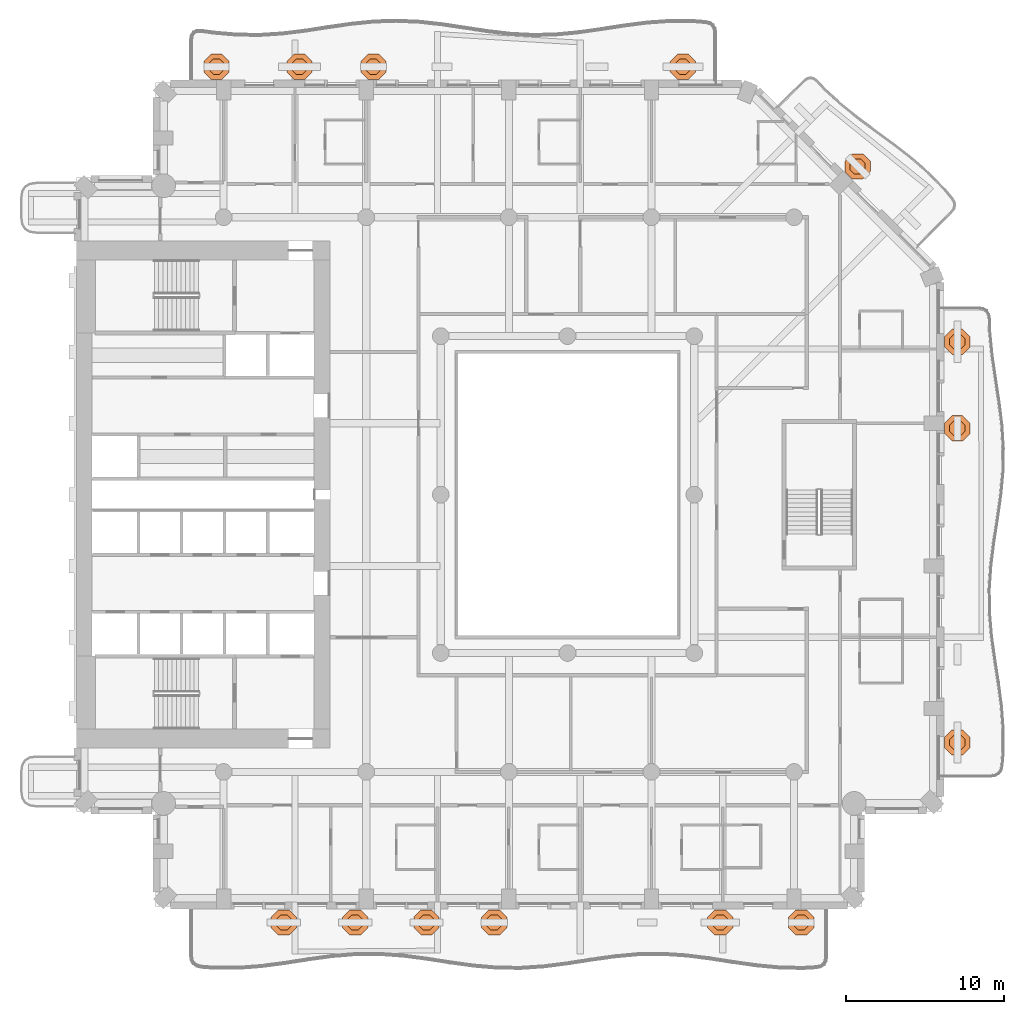
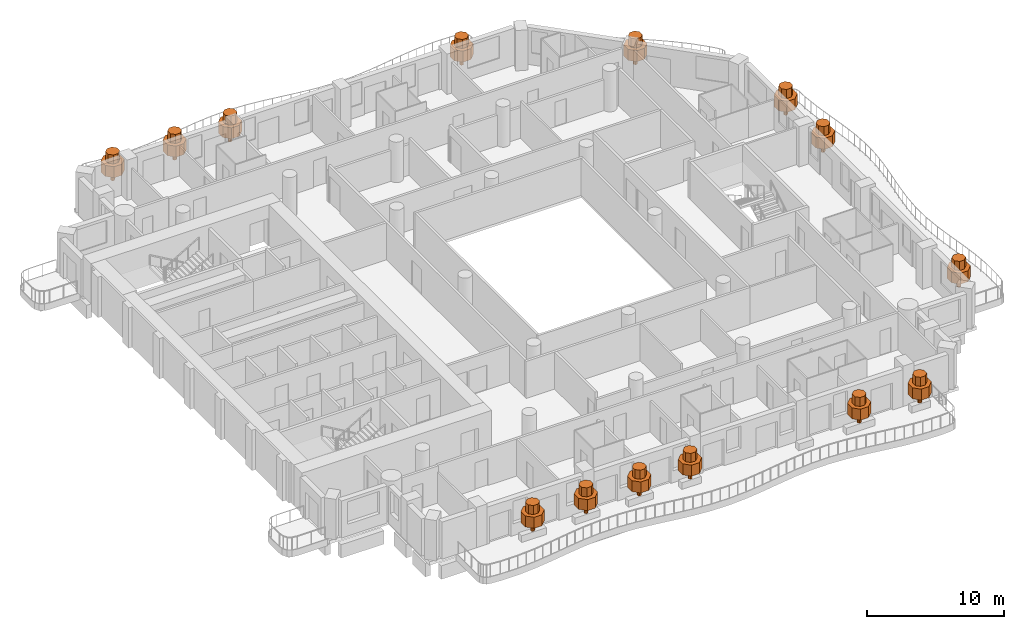
# One storey, part 19 of 19: 14 geographic elements.
"""IFC4 building model written with IfcOpenShell, lengths in metres."""

from ifc_helpers import new_model, si_unit, direction, frame, origin, place, context, subcontext, project, spatial, polyline, outline, extrude, material, type_object, element, save


model = new_model("IFC4")

# Units and contexts
model_context = context("Model", 3, precision=1e-05, world=origin(), true_north=direction((0.0, 1.0)))
body_context = subcontext(model_context, "Body", "Model", "MODEL_VIEW")
ifc_project = project(units=[si_unit("LENGTHUNIT", "METRE"), si_unit("AREAUNIT", "SQUARE_METRE"), si_unit("VOLUMEUNIT", "CUBIC_METRE"), si_unit("PLANEANGLEUNIT", "RADIAN"), si_unit("MASSUNIT", "GRAM", prefix="KILO")], contexts=[model_context])

# Site, building, storey
site_placement = place(None, origin())
site = spatial("IfcSite", under=ifc_project, at=site_placement, CompositionType="ELEMENT")
building_placement = place(site_placement, origin())
building = spatial("IfcBuilding", under=site, at=building_placement, Name="Cypress Arch Tower", CompositionType="ELEMENT")
storey_placement = place(building_placement, frame((0.0, 0.0, 138.300048828125)))
storey = spatial("IfcBuildingStorey", under=building, at=storey_placement, Name="L30", CompositionType="ELEMENT", Elevation=138.300048828125)

# Geographic elements
ifc_material = material(Name="Foliage and planting")
geographic_element_type = type_object("IfcGeographicElementType", Name="Balcony tree TR", PredefinedType="USERDEFINED", material=ifc_material)
for number, where, z_axis, x_axis, name in (
    (1, (-16.89990234375, -27.0, 0.599853515625), (0.0, 0.0, 1.0), (1.0, 0.0, 0.0), "Balcony tree L30-A03.1"),
    (2, (-12.39990234375, -27.0, 0.599853515625), (0.0, 0.0, 1.0), (1.0, 0.0, 0.0), "Balcony tree L30-A03.2"),
    (3, (-7.89990234375, -27.0, 0.599853515625), (0.0, 0.0, 1.0), (1.0, 0.0, 0.0), "Balcony tree L30-A03.3"),
    (4, (-3.625, -27.0, 0.599853515625), (0.0, 0.0, 1.0), (1.0, 0.0, 0.0), "Balcony tree L30-A03.4"),
    (5, (10.639892578125, -27.0, 0.599853515625), (0.0, 0.0, 1.0), (1.0, 0.0, 0.0), "Balcony tree L30-A03.6"),
    (6, (15.75, -27.0, 0.599853515625), (0.0, 0.0, 1.0), (1.0, 0.0, 0.0), "Balcony tree L30-A03.7"),
    (7, (25.60009765625, -15.642822265625, 0.599853515625), (0.0, 0.0, 1.0), (1.0, 0.0, 0.0), "Balcony tree L30-A06.1"),
    (8, (25.60009765625, 4.1826171875, 0.599853515625), (0.0, 0.0, 1.0), (1.0, 0.0, 0.0), "Balcony tree L30-A06.3"),
    (9, (25.60009765625, 9.642822265625, 0.599853515625), (0.0, 0.0, 1.0), (1.0, 0.0, 0.0), "Balcony tree L30-A06.4"),
    (10, (19.30712890625, 20.70703125, 0.599853515625), (0.0, 0.0, 1.0), (1.0, 0.0, 0.0), "Balcony tree L30-A07.2"),
    (11, (8.28125, 27.0, 0.599853515625), (0.0, 0.0, 1.0), (1.0, 0.0, 0.0), "Balcony tree L30-A08.1"),
    (12, (-11.24365234375, 27.0, 0.599853515625), (0.0, 0.0, 1.0), (1.0, 0.0, 0.0), "Balcony tree L30-A08.4"),
    (13, (-15.91259765625, 27.0, 0.599853515625), (0.0, 0.0, 1.0), (1.0, 0.0, 0.0), "Balcony tree L30-A08.5"),
    (14, (-21.14990234375, 27.0, 0.599853515625), (0.0, 0.0, 1.0), (1.0, 0.0, 0.0), "Balcony tree L30-A08.6"),
):
    element("IfcGeographicElement", number, at=place(storey_placement, frame(where, z_axis=z_axis, x_axis=x_axis)), inside=storey, type_object=geographic_element_type, Name=name, ObjectType="TREE", PredefinedType="USERDEFINED", context=body_context, shape_type="SweptSolid", body=[
        extrude(outline(polyline([(0.14990234375, 0.06201171875), (0.06201171875, 0.14990234375), (-0.06201171875, 0.14990234375), (-0.14990234375, 0.06201171875), (-0.14990234375, -0.06201171875), (-0.06201171875, -0.14990234375), (0.06201171875, -0.14990234375), (0.14990234375, -0.06201171875), (0.14990234375, 0.06201171875)])), origin(), (0.0, 0.0, 1.0), 0.864990234375),
        extrude(outline(polyline([(0.800048828125, 0.331298828125), (0.331298828125, 0.800048828125), (-0.331298828125, 0.800048828125), (-0.800048828125, 0.331298828125), (-0.800048828125, -0.331298828125), (-0.331298828125, -0.800048828125), (0.331298828125, -0.800048828125), (0.800048828125, -0.331298828125), (0.800048828125, 0.331298828125)])), frame((0.0, 0.0, 0.764892578125)), (0.0, 0.0, 1.0), 0.981689453125),
        extrude(outline(polyline([(0.47998046875, 0.19873046875), (0.19873046875, 0.47998046875), (-0.19873046875, 0.47998046875), (-0.47998046875, 0.19873046875), (-0.47998046875, -0.19873046875), (-0.19873046875, -0.47998046875), (0.19873046875, -0.47998046875), (0.47998046875, -0.19873046875), (0.47998046875, 0.19873046875)])), frame((0.0, 0.0, 1.746826171875)), (0.0, 0.0, 1.0), 0.80322265625),
    ])

save(model, "model.ifc")
